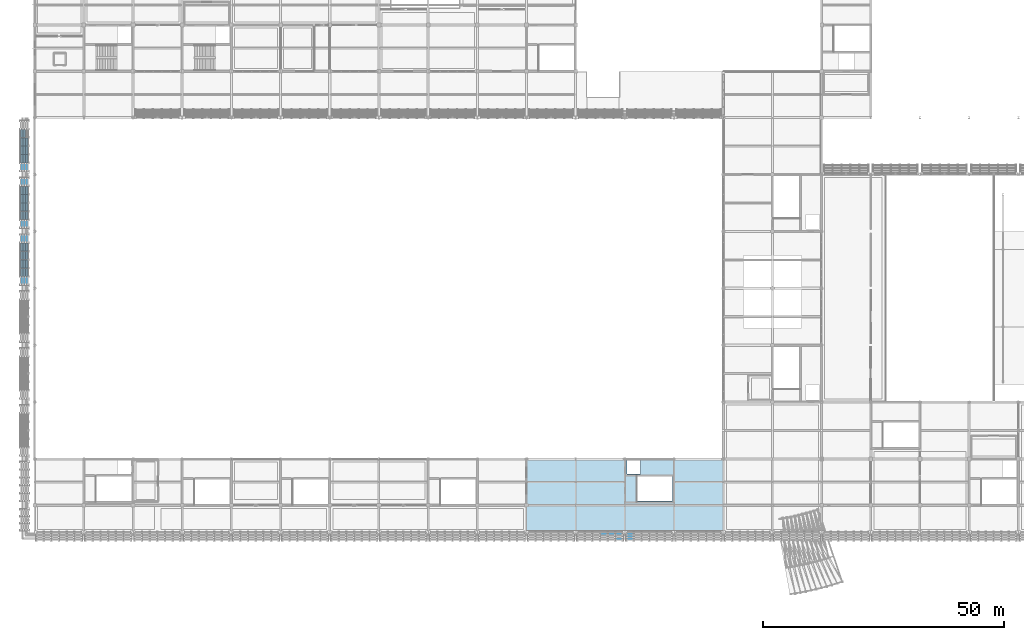
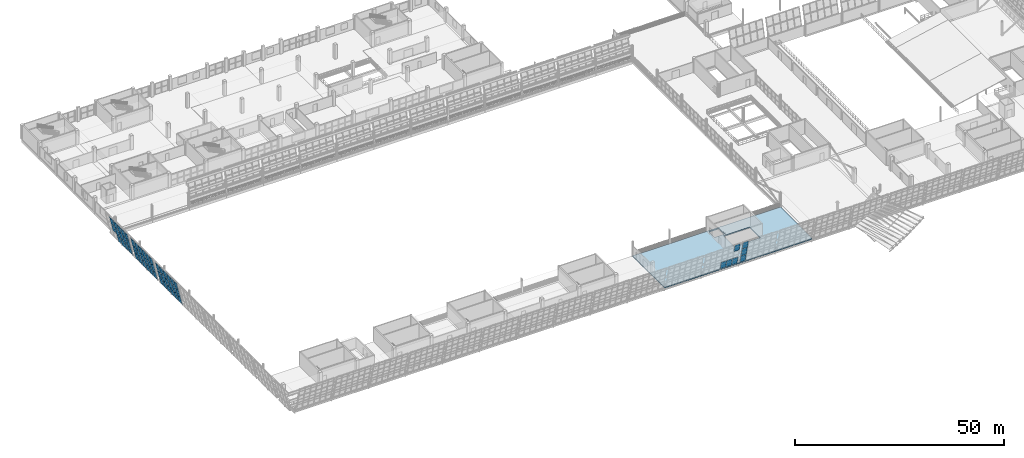
# One storey, part 105 of 157: 57 plates, 1 slab, 5 elements without a shape of their own.
"""IFC4 building model written with IfcOpenShell, lengths in metres."""

from ifc_helpers import new_model, si_unit, direction, frame, origin, place, context, subcontext, project, spatial, polyline, outline, extrude, material, layer, layer_set, type_object, element, aggregate, save


model = new_model("IFC4")

# Units and contexts
model_context = context("Model", 3, precision=1e-05, world=origin(), true_north=direction((0.0, 1.0)))
body_context = subcontext(model_context, "Body", "Model", "MODEL_VIEW")
ifc_project = project(units=[si_unit("LENGTHUNIT", "METRE"), si_unit("AREAUNIT", "SQUARE_METRE"), si_unit("VOLUMEUNIT", "CUBIC_METRE"), si_unit("PLANEANGLEUNIT", "RADIAN"), si_unit("MASSUNIT", "GRAM", prefix="KILO")], contexts=[model_context])

# Site, building, storey
site_placement = place(None, origin())
site = spatial("IfcSite", under=ifc_project, at=site_placement, CompositionType="ELEMENT")
building_placement = place(site_placement, origin())
building = spatial("IfcBuilding", under=site, at=building_placement, Name="Brelvane Convention Centre", CompositionType="ELEMENT")
storey_placement = place(building_placement, frame((0.0, 0.0, 10.800048828125)))
storey = spatial("IfcBuildingStorey", under=building, at=storey_placement, Name="L02", CompositionType="ELEMENT", Elevation=10.800048828125)

# Curtain wall, plate
ifc_material_1 = material(Name="Anodised Aluminium Alloy 6063-T6", Category="aluminium")
curtain_wall_type = type_object("IfcCurtainWallType", Name="Curtain Wall CW-HULL-S", PredefinedType="USERDEFINED", material=ifc_material_1)
curtain_wall_1_placement = place(storey_placement, origin())
curtain_wall_1 = element("IfcCurtainWall", 1, at=curtain_wall_1_placement, inside=storey, type_object=curtain_wall_type, Name="Curtain Wall CW-HULL-S L02-HULL-S-L02-12", ObjectType="UNITISED", PredefinedType="USERDEFINED")
ifc_material_2 = material(Name="Double Glazed Low-E Laminated Unit")
ifc_layer_1 = layer(ifc_material_2, 0.0380859375)
ifc_layer_set_1 = layer_set([ifc_layer_1], Name="Double Glazed Low-E Laminated Unit")
plate_type_1 = type_object("IfcPlateType", Name="Curtain Panel CW-PG2", PredefinedType="CURTAIN_PANEL", material=ifc_layer_set_1)
plate_1_placement = place(storey_placement, frame((120.526611328125, 12.51953125, 4.606689453125), z_axis=(0.0, 0.973586933466, 0.228316628794), x_axis=(1.0, 0.0, 0.0)))
plate_1 = element("IfcPlate", 2, at=plate_1_placement, type_object=plate_type_1, Name="CW-HULL-S panel 6.3", PredefinedType="CURTAIN_PANEL", context=body_context, shape_type="SweptSolid", body=[
    extrude(outline(polyline([(0.0, 0.0), (1.473388671875, 0.0), (1.473388671875, -2.2220204521674902), (0.0, -2.2220204521674902), (0.0, 0.0)])), origin(), (0.0, 0.0, -1.0), 0.0380859375),
])

# Curtain wall, plates
curtain_wall_2_placement = place(storey_placement, origin())
curtain_wall_2 = element("IfcCurtainWall", 3, at=curtain_wall_2_placement, inside=storey, type_object=curtain_wall_type, Name="Curtain Wall CW-HULL-S L02-HULL-S-L02-13", ObjectType="UNITISED", PredefinedType="USERDEFINED")
plate_2_placement = place(storey_placement, frame((122.800048828125, 13.05517578125, 2.3232421875), z_axis=(0.0, 0.973573977576, 0.228371868203), x_axis=(1.0, 0.0, 0.0)))
plate_2 = element("IfcPlate", 4, at=plate_2_placement, type_object=plate_type_1, Name="CW-HULL-S panel 1.2", PredefinedType="CURTAIN_PANEL", context=body_context, shape_type="SweptSolid", body=[
    extrude(outline(polyline([(0.0, 0.0), (1.473388671875, 0.0), (1.473388671875, -2.2631758771022032), (0.0, -2.2631758771022032), (0.0, 0.0)])), origin(), (0.0, 0.0, -1.0), 0.0380859375),
])
plate_3_placement = place(storey_placement, frame((122.800048828125, 12.51953125, 4.606689453125), z_axis=(0.0, 0.973586933466, 0.228316628794), x_axis=(1.0, 0.0, 0.0)))
plate_3 = element("IfcPlate", 5, at=plate_3_placement, type_object=plate_type_1, Name="CW-HULL-S panel 1.3", PredefinedType="CURTAIN_PANEL", context=body_context, shape_type="SweptSolid", body=[
    extrude(outline(polyline([(0.0, 0.0), (1.473388671875, 0.0), (1.473388671875, -2.2220204521674902), (0.0, -2.2220204521674902), (0.0, 0.0)])), origin(), (0.0, 0.0, -1.0), 0.0380859375),
])

curtain_wall_3_placement = place(storey_placement, origin())
curtain_wall_3 = element("IfcCurtainWall", 6, at=curtain_wall_3_placement, inside=storey, type_object=curtain_wall_type, Name="Curtain Wall CW-HULL-S L02-HULL-W-L02-4", ObjectType="UNITISED", PredefinedType="USERDEFINED")
plate_4_placement = place(storey_placement, frame((-1.89599609375, 64.925048828125, 2.284912109375), z_axis=(0.973585642401, 0.0, 0.228322134079), x_axis=(0.0, 1.0, 0.0)))
plate_4 = element("IfcPlate", 7, at=plate_4_placement, type_object=plate_type_1, Name="CW-HULL-S panel 1.2", PredefinedType="CURTAIN_PANEL", context=body_context, shape_type="SweptSolid", body=[
    extrude(outline(polyline([(0.0, 0.0), (1.637451171875, 0.0), (1.637451171875, 2.2390753783596367), (0.0, 2.2390753783596367), (0.0, 0.0)])), origin(), (0.0, 0.0, -1.0), 0.0380859375),
])
plate_5_placement = place(storey_placement, frame((-2.423583984375, 64.925048828125, 4.534912109375), z_axis=(0.973572440639, 0.0, 0.228378420232), x_axis=(0.0, 1.0, 0.0)))
plate_5 = element("IfcPlate", 8, at=plate_5_placement, type_object=plate_type_1, Name="CW-HULL-S panel 1.3", PredefinedType="CURTAIN_PANEL", context=body_context, shape_type="SweptSolid", body=[
    extrude(outline(polyline([(0.0, 0.0), (1.637451171875, 0.0), (1.637451171875, 2.203245944227275), (0.0, 2.203245944227275), (0.0, 0.0)])), origin(), (0.0, 0.0, -1.0), 0.0380859375),
])
plate_6_placement = place(storey_placement, frame((-1.89599609375, 66.637451171875, 2.284912109375), z_axis=(0.973585642401, 0.0, 0.228322134079), x_axis=(0.0, 1.0, 0.0)))
plate_6 = element("IfcPlate", 9, at=plate_6_placement, type_object=plate_type_1, Name="CW-HULL-S panel 2.2", PredefinedType="CURTAIN_PANEL", context=body_context, shape_type="SweptSolid", body=[
    extrude(outline(polyline([(0.0, 0.0), (1.675048828125, 0.0), (1.675048828125, 2.2390753783596367), (0.0, 2.2390753783596367), (0.0, 0.0)])), origin(), (0.0, 0.0, -1.0), 0.0380859375),
])
plate_7_placement = place(storey_placement, frame((-2.423583984375, 66.637451171875, 4.534912109375), z_axis=(0.973572440639, 0.0, 0.228378420232), x_axis=(0.0, 1.0, 0.0)))
plate_7 = element("IfcPlate", 10, at=plate_7_placement, type_object=plate_type_1, Name="CW-HULL-S panel 2.3", PredefinedType="CURTAIN_PANEL", context=body_context, shape_type="SweptSolid", body=[
    extrude(outline(polyline([(0.0, 0.0), (1.675048828125, 0.0), (1.675048828125, 2.203245944227275), (0.0, 2.203245944227275), (0.0, 0.0)])), origin(), (0.0, 0.0, -1.0), 0.0380859375),
])
plate_8_placement = place(storey_placement, frame((-1.89599609375, 68.387451171875, 2.284912109375), z_axis=(0.973585642401, 0.0, 0.228322134079), x_axis=(0.0, 1.0, 0.0)))
plate_8 = element("IfcPlate", 11, at=plate_8_placement, type_object=plate_type_1, Name="CW-HULL-S panel 3.2", PredefinedType="CURTAIN_PANEL", context=body_context, shape_type="SweptSolid", body=[
    extrude(outline(polyline([(0.0, 0.0), (1.675048828125, 0.0), (1.675048828125, 2.2390753783596367), (0.0, 2.2390753783596367), (0.0, 0.0)])), origin(), (0.0, 0.0, -1.0), 0.0380859375),
])
plate_9_placement = place(storey_placement, frame((-2.423583984375, 68.387451171875, 4.534912109375), z_axis=(0.973572440639, 0.0, 0.228378420232), x_axis=(0.0, 1.0, 0.0)))
plate_9 = element("IfcPlate", 12, at=plate_9_placement, type_object=plate_type_1, Name="CW-HULL-S panel 3.3", PredefinedType="CURTAIN_PANEL", context=body_context, shape_type="SweptSolid", body=[
    extrude(outline(polyline([(0.0, 0.0), (1.675048828125, 0.0), (1.675048828125, 2.203245944227275), (0.0, 2.203245944227275), (0.0, 0.0)])), origin(), (0.0, 0.0, -1.0), 0.0380859375),
])
plate_10_placement = place(storey_placement, frame((-1.89599609375, 70.137451171875, 2.284912109375), z_axis=(0.973585642401, 0.0, 0.228322134079), x_axis=(0.0, 1.0, 0.0)))
plate_10 = element("IfcPlate", 13, at=plate_10_placement, type_object=plate_type_1, Name="CW-HULL-S panel 4.2", PredefinedType="CURTAIN_PANEL", context=body_context, shape_type="SweptSolid", body=[
    extrude(outline(polyline([(0.0, 0.0), (1.675048828125, 0.0), (1.675048828125, 2.2390753783596367), (0.0, 2.2390753783596367), (0.0, 0.0)])), origin(), (0.0, 0.0, -1.0), 0.0380859375),
])
plate_11_placement = place(storey_placement, frame((-2.423583984375, 70.137451171875, 4.534912109375), z_axis=(0.973572440639, 0.0, 0.228378420232), x_axis=(0.0, 1.0, 0.0)))
plate_11 = element("IfcPlate", 14, at=plate_11_placement, type_object=plate_type_1, Name="CW-HULL-S panel 4.3", PredefinedType="CURTAIN_PANEL", context=body_context, shape_type="SweptSolid", body=[
    extrude(outline(polyline([(0.0, 0.0), (1.675048828125, 0.0), (1.675048828125, 2.203245944227275), (0.0, 2.203245944227275), (0.0, 0.0)])), origin(), (0.0, 0.0, -1.0), 0.0380859375),
])
plate_12_placement = place(storey_placement, frame((-1.89599609375, 71.887451171875, 2.284912109375), z_axis=(0.973585642401, 0.0, 0.228322134079), x_axis=(0.0, 1.0, 0.0)))
plate_12 = element("IfcPlate", 15, at=plate_12_placement, type_object=plate_type_1, Name="CW-HULL-S panel 5.2", PredefinedType="CURTAIN_PANEL", context=body_context, shape_type="SweptSolid", body=[
    extrude(outline(polyline([(0.0, 0.0), (1.675048828125, 0.0), (1.675048828125, 2.2390753783596367), (0.0, 2.2390753783596367), (0.0, 0.0)])), origin(), (0.0, 0.0, -1.0), 0.0380859375),
])
plate_13_placement = place(storey_placement, frame((-2.423583984375, 71.887451171875, 4.534912109375), z_axis=(0.973572440639, 0.0, 0.228378420232), x_axis=(0.0, 1.0, 0.0)))
plate_13 = element("IfcPlate", 16, at=plate_13_placement, type_object=plate_type_1, Name="CW-HULL-S panel 5.3", PredefinedType="CURTAIN_PANEL", context=body_context, shape_type="SweptSolid", body=[
    extrude(outline(polyline([(0.0, 0.0), (1.675048828125, 0.0), (1.675048828125, 2.203245944227275), (0.0, 2.203245944227275), (0.0, 0.0)])), origin(), (0.0, 0.0, -1.0), 0.0380859375),
])
plate_14_placement = place(storey_placement, frame((-1.89599609375, 73.637451171875, 2.284912109375), z_axis=(0.973585642401, 0.0, 0.228322134079), x_axis=(0.0, 1.0, 0.0)))
plate_14 = element("IfcPlate", 17, at=plate_14_placement, type_object=plate_type_1, Name="CW-HULL-S panel 6.2", PredefinedType="CURTAIN_PANEL", context=body_context, shape_type="SweptSolid", body=[
    extrude(outline(polyline([(0.0, 0.0), (1.637451171875, 0.0), (1.637451171875, 2.2390753783596367), (0.0, 2.2390753783596367), (0.0, 0.0)])), origin(), (0.0, 0.0, -1.0), 0.0380859375),
])
plate_15_placement = place(storey_placement, frame((-2.423583984375, 73.637451171875, 4.534912109375), z_axis=(0.973572440639, 0.0, 0.228378420232), x_axis=(0.0, 1.0, 0.0)))
plate_15 = element("IfcPlate", 18, at=plate_15_placement, type_object=plate_type_1, Name="CW-HULL-S panel 6.3", PredefinedType="CURTAIN_PANEL", context=body_context, shape_type="SweptSolid", body=[
    extrude(outline(polyline([(0.0, 0.0), (1.637451171875, 0.0), (1.637451171875, 2.203245944227275), (0.0, 2.203245944227275), (0.0, 0.0)])), origin(), (0.0, 0.0, -1.0), 0.0380859375),
])

curtain_wall_4_placement = place(storey_placement, origin())
curtain_wall_4 = element("IfcCurtainWall", 19, at=curtain_wall_4_placement, inside=storey, type_object=curtain_wall_type, Name="Curtain Wall CW-HULL-S L02-HULL-W-L02-5", ObjectType="UNITISED", PredefinedType="USERDEFINED")
plate_16_placement = place(storey_placement, frame((-1.89599609375, 76.72509765625, 2.284912109375), z_axis=(0.973585642401, 0.0, 0.228322134079), x_axis=(0.0, 1.0, 0.0)))
plate_16 = element("IfcPlate", 20, at=plate_16_placement, type_object=plate_type_1, Name="CW-HULL-S panel 1.2", PredefinedType="CURTAIN_PANEL", context=body_context, shape_type="SweptSolid", body=[
    extrude(outline(polyline([(0.0, 0.0), (1.637451171875, 0.0), (1.637451171875, 2.2390753783596367), (0.0, 2.2390753783596367), (0.0, 0.0)])), origin(), (0.0, 0.0, -1.0), 0.0380859375),
])
plate_17_placement = place(storey_placement, frame((-2.423583984375, 76.72509765625, 4.534912109375), z_axis=(0.973572440639, 0.0, 0.228378420232), x_axis=(0.0, 1.0, 0.0)))
plate_17 = element("IfcPlate", 21, at=plate_17_placement, type_object=plate_type_1, Name="CW-HULL-S panel 1.3", PredefinedType="CURTAIN_PANEL", context=body_context, shape_type="SweptSolid", body=[
    extrude(outline(polyline([(0.0, 0.0), (1.637451171875, 0.0), (1.637451171875, 2.203245944227275), (0.0, 2.203245944227275), (0.0, 0.0)])), origin(), (0.0, 0.0, -1.0), 0.0380859375),
])
plate_18_placement = place(storey_placement, frame((-1.89599609375, 78.4375, 2.284912109375), z_axis=(0.973585642401, 0.0, 0.228322134079), x_axis=(0.0, 1.0, 0.0)))
plate_18 = element("IfcPlate", 22, at=plate_18_placement, type_object=plate_type_1, Name="CW-HULL-S panel 2.2", PredefinedType="CURTAIN_PANEL", context=body_context, shape_type="SweptSolid", body=[
    extrude(outline(polyline([(0.0, 0.0), (1.675048828125, 0.0), (1.675048828125, 2.2390753783596367), (0.0, 2.2390753783596367), (0.0, 0.0)])), origin(), (0.0, 0.0, -1.0), 0.0380859375),
])
plate_19_placement = place(storey_placement, frame((-2.423583984375, 78.4375, 4.534912109375), z_axis=(0.973572440639, 0.0, 0.228378420232), x_axis=(0.0, 1.0, 0.0)))
plate_19 = element("IfcPlate", 23, at=plate_19_placement, type_object=plate_type_1, Name="CW-HULL-S panel 2.3", PredefinedType="CURTAIN_PANEL", context=body_context, shape_type="SweptSolid", body=[
    extrude(outline(polyline([(0.0, 0.0), (1.675048828125, 0.0), (1.675048828125, 2.203245944227275), (0.0, 2.203245944227275), (0.0, 0.0)])), origin(), (0.0, 0.0, -1.0), 0.0380859375),
])
plate_20_placement = place(storey_placement, frame((-1.89599609375, 80.1875, 2.284912109375), z_axis=(0.973585642401, 0.0, 0.228322134079), x_axis=(0.0, 1.0, 0.0)))
plate_20 = element("IfcPlate", 24, at=plate_20_placement, type_object=plate_type_1, Name="CW-HULL-S panel 3.2", PredefinedType="CURTAIN_PANEL", context=body_context, shape_type="SweptSolid", body=[
    extrude(outline(polyline([(0.0, 0.0), (1.675048828125, 0.0), (1.675048828125, 2.2390753783596367), (0.0, 2.2390753783596367), (0.0, 0.0)])), origin(), (0.0, 0.0, -1.0), 0.0380859375),
])
plate_21_placement = place(storey_placement, frame((-2.423583984375, 80.1875, 4.534912109375), z_axis=(0.973572440639, 0.0, 0.228378420232), x_axis=(0.0, 1.0, 0.0)))
plate_21 = element("IfcPlate", 25, at=plate_21_placement, type_object=plate_type_1, Name="CW-HULL-S panel 3.3", PredefinedType="CURTAIN_PANEL", context=body_context, shape_type="SweptSolid", body=[
    extrude(outline(polyline([(0.0, 0.0), (1.675048828125, 0.0), (1.675048828125, 2.203245944227275), (0.0, 2.203245944227275), (0.0, 0.0)])), origin(), (0.0, 0.0, -1.0), 0.0380859375),
])
plate_22_placement = place(storey_placement, frame((-1.89599609375, 81.9375, 2.284912109375), z_axis=(0.973585642401, 0.0, 0.228322134079), x_axis=(0.0, 1.0, 0.0)))
plate_22 = element("IfcPlate", 26, at=plate_22_placement, type_object=plate_type_1, Name="CW-HULL-S panel 4.2", PredefinedType="CURTAIN_PANEL", context=body_context, shape_type="SweptSolid", body=[
    extrude(outline(polyline([(0.0, 0.0), (1.675048828125, 0.0), (1.675048828125, 2.2390753783596367), (0.0, 2.2390753783596367), (0.0, 0.0)])), origin(), (0.0, 0.0, -1.0), 0.0380859375),
])
plate_23_placement = place(storey_placement, frame((-2.423583984375, 81.9375, 4.534912109375), z_axis=(0.973572440639, 0.0, 0.228378420232), x_axis=(0.0, 1.0, 0.0)))
plate_23 = element("IfcPlate", 27, at=plate_23_placement, type_object=plate_type_1, Name="CW-HULL-S panel 4.3", PredefinedType="CURTAIN_PANEL", context=body_context, shape_type="SweptSolid", body=[
    extrude(outline(polyline([(0.0, 0.0), (1.675048828125, 0.0), (1.675048828125, 2.203245944227275), (0.0, 2.203245944227275), (0.0, 0.0)])), origin(), (0.0, 0.0, -1.0), 0.0380859375),
])
plate_24_placement = place(storey_placement, frame((-1.89599609375, 83.6875, 2.284912109375), z_axis=(0.973585642401, 0.0, 0.228322134079), x_axis=(0.0, 1.0, 0.0)))
plate_24 = element("IfcPlate", 28, at=plate_24_placement, type_object=plate_type_1, Name="CW-HULL-S panel 5.2", PredefinedType="CURTAIN_PANEL", context=body_context, shape_type="SweptSolid", body=[
    extrude(outline(polyline([(0.0, 0.0), (1.675048828125, 0.0), (1.675048828125, 2.2390753783596367), (0.0, 2.2390753783596367), (0.0, 0.0)])), origin(), (0.0, 0.0, -1.0), 0.0380859375),
])
plate_25_placement = place(storey_placement, frame((-2.423583984375, 83.6875, 4.534912109375), z_axis=(0.973572440639, 0.0, 0.228378420232), x_axis=(0.0, 1.0, 0.0)))
plate_25 = element("IfcPlate", 29, at=plate_25_placement, type_object=plate_type_1, Name="CW-HULL-S panel 5.3", PredefinedType="CURTAIN_PANEL", context=body_context, shape_type="SweptSolid", body=[
    extrude(outline(polyline([(0.0, 0.0), (1.675048828125, 0.0), (1.675048828125, 2.203245944227275), (0.0, 2.203245944227275), (0.0, 0.0)])), origin(), (0.0, 0.0, -1.0), 0.0380859375),
])
plate_26_placement = place(storey_placement, frame((-1.89599609375, 85.4375, 2.284912109375), z_axis=(0.973585642401, 0.0, 0.228322134079), x_axis=(0.0, 1.0, 0.0)))
plate_26 = element("IfcPlate", 30, at=plate_26_placement, type_object=plate_type_1, Name="CW-HULL-S panel 6.2", PredefinedType="CURTAIN_PANEL", context=body_context, shape_type="SweptSolid", body=[
    extrude(outline(polyline([(0.0, 0.0), (1.637451171875, 0.0), (1.637451171875, 2.2390753783596367), (0.0, 2.2390753783596367), (0.0, 0.0)])), origin(), (0.0, 0.0, -1.0), 0.0380859375),
])
plate_27_placement = place(storey_placement, frame((-2.423583984375, 85.4375, 4.534912109375), z_axis=(0.973572440639, 0.0, 0.228378420232), x_axis=(0.0, 1.0, 0.0)))
plate_27 = element("IfcPlate", 31, at=plate_27_placement, type_object=plate_type_1, Name="CW-HULL-S panel 6.3", PredefinedType="CURTAIN_PANEL", context=body_context, shape_type="SweptSolid", body=[
    extrude(outline(polyline([(0.0, 0.0), (1.637451171875, 0.0), (1.637451171875, 2.203245944227275), (0.0, 2.203245944227275), (0.0, 0.0)])), origin(), (0.0, 0.0, -1.0), 0.0380859375),
])

curtain_wall_5_placement = place(storey_placement, origin())
curtain_wall_5 = element("IfcCurtainWall", 32, at=curtain_wall_5_placement, inside=storey, type_object=curtain_wall_type, Name="Curtain Wall CW-HULL-S L02-HULL-W-L02-6", ObjectType="UNITISED", PredefinedType="USERDEFINED")
plate_28_placement = place(storey_placement, frame((-1.89599609375, 88.52490234375, 2.284912109375), z_axis=(0.973585642401, 0.0, 0.228322134079), x_axis=(0.0, 1.0, 0.0)))
plate_28 = element("IfcPlate", 33, at=plate_28_placement, type_object=plate_type_1, Name="CW-HULL-S panel 1.2", PredefinedType="CURTAIN_PANEL", context=body_context, shape_type="SweptSolid", body=[
    extrude(outline(polyline([(0.0, 0.0), (1.6376953125, 0.0), (1.6376953125, 2.239075378359636), (0.0, 2.239075378359636), (0.0, 0.0)])), origin(), (0.0, 0.0, -1.0), 0.0380859375),
])
plate_29_placement = place(storey_placement, frame((-2.423583984375, 88.52490234375, 4.534912109375), z_axis=(0.973572440639, 0.0, 0.228378420232), x_axis=(0.0, 1.0, 0.0)))
plate_29 = element("IfcPlate", 34, at=plate_29_placement, type_object=plate_type_1, Name="CW-HULL-S panel 1.3", PredefinedType="CURTAIN_PANEL", context=body_context, shape_type="SweptSolid", body=[
    extrude(outline(polyline([(0.0, 0.0), (1.6376953125, 0.0), (1.6376953125, 2.203245944227275), (0.0, 2.203245944227275), (0.0, 0.0)])), origin(), (0.0, 0.0, -1.0), 0.0380859375),
])
plate_30_placement = place(storey_placement, frame((-1.89599609375, 90.237548828125, 2.284912109375), z_axis=(0.973585642401, 0.0, 0.228322134079), x_axis=(0.0, 1.0, 0.0)))
plate_30 = element("IfcPlate", 35, at=plate_30_placement, type_object=plate_type_1, Name="CW-HULL-S panel 2.2", PredefinedType="CURTAIN_PANEL", context=body_context, shape_type="SweptSolid", body=[
    extrude(outline(polyline([(0.0, 0.0), (1.675048828125, 0.0), (1.675048828125, 2.2390753783596367), (0.0, 2.2390753783596367), (0.0, 0.0)])), origin(), (0.0, 0.0, -1.0), 0.0380859375),
])
plate_31_placement = place(storey_placement, frame((-2.423583984375, 90.237548828125, 4.534912109375), z_axis=(0.973572440639, 0.0, 0.228378420232), x_axis=(0.0, 1.0, 0.0)))
plate_31 = element("IfcPlate", 36, at=plate_31_placement, type_object=plate_type_1, Name="CW-HULL-S panel 2.3", PredefinedType="CURTAIN_PANEL", context=body_context, shape_type="SweptSolid", body=[
    extrude(outline(polyline([(0.0, 0.0), (1.675048828125, 0.0), (1.675048828125, 2.203245944227275), (0.0, 2.203245944227275), (0.0, 0.0)])), origin(), (0.0, 0.0, -1.0), 0.0380859375),
])
plate_32_placement = place(storey_placement, frame((-1.89599609375, 91.987548828125, 2.284912109375), z_axis=(0.973585642401, 0.0, 0.228322134079), x_axis=(0.0, 1.0, 0.0)))
plate_32 = element("IfcPlate", 37, at=plate_32_placement, type_object=plate_type_1, Name="CW-HULL-S panel 3.2", PredefinedType="CURTAIN_PANEL", context=body_context, shape_type="SweptSolid", body=[
    extrude(outline(polyline([(0.0, 0.0), (1.675048828125, 0.0), (1.675048828125, 2.2390753783596367), (0.0, 2.2390753783596367), (0.0, 0.0)])), origin(), (0.0, 0.0, -1.0), 0.0380859375),
])
plate_33_placement = place(storey_placement, frame((-2.423583984375, 91.987548828125, 4.534912109375), z_axis=(0.973572440639, 0.0, 0.228378420232), x_axis=(0.0, 1.0, 0.0)))
plate_33 = element("IfcPlate", 38, at=plate_33_placement, type_object=plate_type_1, Name="CW-HULL-S panel 3.3", PredefinedType="CURTAIN_PANEL", context=body_context, shape_type="SweptSolid", body=[
    extrude(outline(polyline([(0.0, 0.0), (1.675048828125, 0.0), (1.675048828125, 2.203245944227275), (0.0, 2.203245944227275), (0.0, 0.0)])), origin(), (0.0, 0.0, -1.0), 0.0380859375),
])
plate_34_placement = place(storey_placement, frame((-1.89599609375, 93.737548828125, 2.284912109375), z_axis=(0.973585642401, 0.0, 0.228322134079), x_axis=(0.0, 1.0, 0.0)))
plate_34 = element("IfcPlate", 39, at=plate_34_placement, type_object=plate_type_1, Name="CW-HULL-S panel 4.2", PredefinedType="CURTAIN_PANEL", context=body_context, shape_type="SweptSolid", body=[
    extrude(outline(polyline([(0.0, 0.0), (1.675048828125, 0.0), (1.675048828125, 2.2390753783596367), (0.0, 2.2390753783596367), (0.0, 0.0)])), origin(), (0.0, 0.0, -1.0), 0.0380859375),
])
plate_35_placement = place(storey_placement, frame((-2.423583984375, 93.737548828125, 4.534912109375), z_axis=(0.973572440639, 0.0, 0.228378420232), x_axis=(0.0, 1.0, 0.0)))
plate_35 = element("IfcPlate", 40, at=plate_35_placement, type_object=plate_type_1, Name="CW-HULL-S panel 4.3", PredefinedType="CURTAIN_PANEL", context=body_context, shape_type="SweptSolid", body=[
    extrude(outline(polyline([(0.0, 0.0), (1.675048828125, 0.0), (1.675048828125, 2.203245944227275), (0.0, 2.203245944227275), (0.0, 0.0)])), origin(), (0.0, 0.0, -1.0), 0.0380859375),
])
plate_36_placement = place(storey_placement, frame((-1.89599609375, 95.487548828125, 2.284912109375), z_axis=(0.973585642401, 0.0, 0.228322134079), x_axis=(0.0, 1.0, 0.0)))
plate_36 = element("IfcPlate", 41, at=plate_36_placement, type_object=plate_type_1, Name="CW-HULL-S panel 5.2", PredefinedType="CURTAIN_PANEL", context=body_context, shape_type="SweptSolid", body=[
    extrude(outline(polyline([(0.0, 0.0), (1.675048828125, 0.0), (1.675048828125, 2.2390753783596367), (0.0, 2.2390753783596367), (0.0, 0.0)])), origin(), (0.0, 0.0, -1.0), 0.0380859375),
])
plate_37_placement = place(storey_placement, frame((-2.423583984375, 95.487548828125, 4.534912109375), z_axis=(0.973572440639, 0.0, 0.228378420232), x_axis=(0.0, 1.0, 0.0)))
plate_37 = element("IfcPlate", 42, at=plate_37_placement, type_object=plate_type_1, Name="CW-HULL-S panel 5.3", PredefinedType="CURTAIN_PANEL", context=body_context, shape_type="SweptSolid", body=[
    extrude(outline(polyline([(0.0, 0.0), (1.675048828125, 0.0), (1.675048828125, 2.203245944227275), (0.0, 2.203245944227275), (0.0, 0.0)])), origin(), (0.0, 0.0, -1.0), 0.0380859375),
])

# Plate
ifc_material_3 = material(Name="Patinated Copper-Bronze Alloy C22000")
ifc_layer_2 = layer(ifc_material_3, 0.055908203125)
ifc_layer_set_2 = layer_set([ifc_layer_2], Name="Patinated Copper-Bronze Alloy C22000")
plate_type_2 = type_object("IfcPlateType", Name="Curtain Panel CW-PS2", PredefinedType="CURTAIN_PANEL", material=ifc_layer_set_2)
plate_38_placement = place(storey_placement, frame((117.340087890625, 13.581298828125, 0.079833984375), z_axis=(0.0, 0.973562505213, 0.228420770606), x_axis=(1.0, 0.0, 0.0)))
plate_38 = element("IfcPlate", 43, at=plate_38_placement, type_object=plate_type_2, Name="CW-HULL-S panel 4.1", PredefinedType="CURTAIN_PANEL", context=body_context, shape_type="SweptSolid", body=[
    extrude(outline(polyline([(0.0, 0.0), (1.51318359375, 0.0), (1.51318359375, -2.2220762062447244), (0.0, -2.2220762062447244), (0.0, 0.0)])), origin(), (0.0, 0.0, -1.0), 0.0380859375),
])

plate_39_placement = place(storey_placement, frame((118.933349609375, 13.581298828125, 0.079833984375), z_axis=(0.0, 0.973562505213, 0.228420770606), x_axis=(1.0, 0.0, 0.0)))
plate_39 = element("IfcPlate", 44, at=plate_39_placement, type_object=plate_type_2, Name="CW-HULL-S panel 5.1", PredefinedType="CURTAIN_PANEL", context=body_context, shape_type="SweptSolid", body=[
    extrude(outline(polyline([(0.0, 0.0), (1.513427734375, 0.0), (1.513427734375, -2.2220762062447244), (0.0, -2.2220762062447244), (0.0, 0.0)])), origin(), (0.0, 0.0, -1.0), 0.0380859375),
])

plate_40_placement = place(storey_placement, frame((120.526611328125, 13.581298828125, 0.079833984375), z_axis=(0.0, 0.973562505213, 0.228420770606), x_axis=(1.0, 0.0, 0.0)))
plate_40 = element("IfcPlate", 45, at=plate_40_placement, type_object=plate_type_2, Name="CW-HULL-S panel 6.1", PredefinedType="CURTAIN_PANEL", context=body_context, shape_type="SweptSolid", body=[
    extrude(outline(polyline([(0.0, 0.0), (1.473388671875, 0.0), (1.473388671875, -2.222076206244725), (0.0, -2.222076206244725), (0.0, 0.0)])), origin(), (0.0, 0.0, -1.0), 0.0380859375),
])

aggregate(curtain_wall_1, [plate_38, plate_39, plate_40, plate_1])

plate_41_placement = place(storey_placement, frame((122.800048828125, 13.581298828125, 0.079833984375), z_axis=(0.0, 0.973562505213, 0.228420770606), x_axis=(1.0, 0.0, 0.0)))
plate_41 = element("IfcPlate", 46, at=plate_41_placement, type_object=plate_type_2, Name="CW-HULL-S panel 1.1", PredefinedType="CURTAIN_PANEL", context=body_context, shape_type="SweptSolid", body=[
    extrude(outline(polyline([(0.0, 0.0), (1.473388671875, 0.0), (1.473388671875, -2.222076206244725), (0.0, -2.222076206244725), (0.0, 0.0)])), origin(), (0.0, 0.0, -1.0), 0.0380859375),
])

aggregate(curtain_wall_2, [plate_41, plate_2, plate_3])

plate_42_placement = place(storey_placement, frame((-1.37646484375, 64.925048828125, 0.070068359375), z_axis=(0.973566660245, 0.0, 0.228403060531), x_axis=(0.0, 1.0, 0.0)))
plate_42 = element("IfcPlate", 47, at=plate_42_placement, type_object=plate_type_2, Name="CW-HULL-S panel 1.1", PredefinedType="CURTAIN_PANEL", context=body_context, shape_type="SweptSolid", body=[
    extrude(outline(polyline([(0.0, 0.0), (1.637451171875, 0.0), (1.637451171875, 2.203008256348711), (0.0, 2.203008256348711), (0.0, 0.0)])), origin(), (0.0, 0.0, -1.0), 0.0380859375),
])

plate_43_placement = place(storey_placement, frame((-1.37646484375, 66.637451171875, 0.070068359375), z_axis=(0.973566660245, 0.0, 0.228403060531), x_axis=(0.0, 1.0, 0.0)))
plate_43 = element("IfcPlate", 48, at=plate_43_placement, type_object=plate_type_2, Name="CW-HULL-S panel 2.1", PredefinedType="CURTAIN_PANEL", context=body_context, shape_type="SweptSolid", body=[
    extrude(outline(polyline([(0.0, 0.0), (1.675048828125, 0.0), (1.675048828125, 2.2030082563487112), (0.0, 2.2030082563487112), (0.0, 0.0)])), origin(), (0.0, 0.0, -1.0), 0.0380859375),
])

plate_44_placement = place(storey_placement, frame((-1.37646484375, 68.387451171875, 0.070068359375), z_axis=(0.973566660245, 0.0, 0.228403060531), x_axis=(0.0, 1.0, 0.0)))
plate_44 = element("IfcPlate", 49, at=plate_44_placement, type_object=plate_type_2, Name="CW-HULL-S panel 3.1", PredefinedType="CURTAIN_PANEL", context=body_context, shape_type="SweptSolid", body=[
    extrude(outline(polyline([(0.0, 0.0), (1.675048828125, 0.0), (1.675048828125, 2.2030082563487112), (0.0, 2.2030082563487112), (0.0, 0.0)])), origin(), (0.0, 0.0, -1.0), 0.0380859375),
])

plate_45_placement = place(storey_placement, frame((-1.37646484375, 70.137451171875, 0.070068359375), z_axis=(0.973566660245, 0.0, 0.228403060531), x_axis=(0.0, 1.0, 0.0)))
plate_45 = element("IfcPlate", 50, at=plate_45_placement, type_object=plate_type_2, Name="CW-HULL-S panel 4.1", PredefinedType="CURTAIN_PANEL", context=body_context, shape_type="SweptSolid", body=[
    extrude(outline(polyline([(0.0, 0.0), (1.675048828125, 0.0), (1.675048828125, 2.2030082563487112), (0.0, 2.2030082563487112), (0.0, 0.0)])), origin(), (0.0, 0.0, -1.0), 0.0380859375),
])

plate_46_placement = place(storey_placement, frame((-1.37646484375, 71.887451171875, 0.070068359375), z_axis=(0.973566660245, 0.0, 0.228403060531), x_axis=(0.0, 1.0, 0.0)))
plate_46 = element("IfcPlate", 51, at=plate_46_placement, type_object=plate_type_2, Name="CW-HULL-S panel 5.1", PredefinedType="CURTAIN_PANEL", context=body_context, shape_type="SweptSolid", body=[
    extrude(outline(polyline([(0.0, 0.0), (1.675048828125, 0.0), (1.675048828125, 2.2030082563487112), (0.0, 2.2030082563487112), (0.0, 0.0)])), origin(), (0.0, 0.0, -1.0), 0.0380859375),
])

plate_47_placement = place(storey_placement, frame((-1.37646484375, 73.637451171875, 0.070068359375), z_axis=(0.973566660245, 0.0, 0.228403060531), x_axis=(0.0, 1.0, 0.0)))
plate_47 = element("IfcPlate", 52, at=plate_47_placement, type_object=plate_type_2, Name="CW-HULL-S panel 6.1", PredefinedType="CURTAIN_PANEL", context=body_context, shape_type="SweptSolid", body=[
    extrude(outline(polyline([(0.0, 0.0), (1.637451171875, 0.0), (1.637451171875, 2.203008256348711), (0.0, 2.203008256348711), (0.0, 0.0)])), origin(), (0.0, 0.0, -1.0), 0.0380859375),
])

aggregate(curtain_wall_3, [plate_42, plate_4, plate_5, plate_43, plate_6, plate_7, plate_44, plate_8, plate_9, plate_45, plate_10, plate_11, plate_46, plate_12, plate_13, plate_47, plate_14, plate_15])

plate_48_placement = place(storey_placement, frame((-1.37646484375, 76.72509765625, 0.070068359375), z_axis=(0.973566660245, 0.0, 0.228403060531), x_axis=(0.0, 1.0, 0.0)))
plate_48 = element("IfcPlate", 53, at=plate_48_placement, type_object=plate_type_2, Name="CW-HULL-S panel 1.1", PredefinedType="CURTAIN_PANEL", context=body_context, shape_type="SweptSolid", body=[
    extrude(outline(polyline([(0.0, 0.0), (1.637451171875, 0.0), (1.637451171875, 2.203008256348711), (0.0, 2.203008256348711), (0.0, 0.0)])), origin(), (0.0, 0.0, -1.0), 0.0380859375),
])

plate_49_placement = place(storey_placement, frame((-1.37646484375, 78.4375, 0.070068359375), z_axis=(0.973566660245, 0.0, 0.228403060531), x_axis=(0.0, 1.0, 0.0)))
plate_49 = element("IfcPlate", 54, at=plate_49_placement, type_object=plate_type_2, Name="CW-HULL-S panel 2.1", PredefinedType="CURTAIN_PANEL", context=body_context, shape_type="SweptSolid", body=[
    extrude(outline(polyline([(0.0, 0.0), (1.675048828125, 0.0), (1.675048828125, 2.2030082563487112), (0.0, 2.2030082563487112), (0.0, 0.0)])), origin(), (0.0, 0.0, -1.0), 0.0380859375),
])

plate_50_placement = place(storey_placement, frame((-1.37646484375, 80.1875, 0.070068359375), z_axis=(0.973566660245, 0.0, 0.228403060531), x_axis=(0.0, 1.0, 0.0)))
plate_50 = element("IfcPlate", 55, at=plate_50_placement, type_object=plate_type_2, Name="CW-HULL-S panel 3.1", PredefinedType="CURTAIN_PANEL", context=body_context, shape_type="SweptSolid", body=[
    extrude(outline(polyline([(0.0, 0.0), (1.675048828125, 0.0), (1.675048828125, 2.2030082563487112), (0.0, 2.2030082563487112), (0.0, 0.0)])), origin(), (0.0, 0.0, -1.0), 0.0380859375),
])

plate_51_placement = place(storey_placement, frame((-1.37646484375, 81.9375, 0.070068359375), z_axis=(0.973566660245, 0.0, 0.228403060531), x_axis=(0.0, 1.0, 0.0)))
plate_51 = element("IfcPlate", 56, at=plate_51_placement, type_object=plate_type_2, Name="CW-HULL-S panel 4.1", PredefinedType="CURTAIN_PANEL", context=body_context, shape_type="SweptSolid", body=[
    extrude(outline(polyline([(0.0, 0.0), (1.675048828125, 0.0), (1.675048828125, 2.2030082563487112), (0.0, 2.2030082563487112), (0.0, 0.0)])), origin(), (0.0, 0.0, -1.0), 0.0380859375),
])

plate_52_placement = place(storey_placement, frame((-1.37646484375, 83.6875, 0.070068359375), z_axis=(0.973566660245, 0.0, 0.228403060531), x_axis=(0.0, 1.0, 0.0)))
plate_52 = element("IfcPlate", 57, at=plate_52_placement, type_object=plate_type_2, Name="CW-HULL-S panel 5.1", PredefinedType="CURTAIN_PANEL", context=body_context, shape_type="SweptSolid", body=[
    extrude(outline(polyline([(0.0, 0.0), (1.675048828125, 0.0), (1.675048828125, 2.2030082563487112), (0.0, 2.2030082563487112), (0.0, 0.0)])), origin(), (0.0, 0.0, -1.0), 0.0380859375),
])

plate_53_placement = place(storey_placement, frame((-1.37646484375, 85.4375, 0.070068359375), z_axis=(0.973566660245, 0.0, 0.228403060531), x_axis=(0.0, 1.0, 0.0)))
plate_53 = element("IfcPlate", 58, at=plate_53_placement, type_object=plate_type_2, Name="CW-HULL-S panel 6.1", PredefinedType="CURTAIN_PANEL", context=body_context, shape_type="SweptSolid", body=[
    extrude(outline(polyline([(0.0, 0.0), (1.637451171875, 0.0), (1.637451171875, 2.203008256348711), (0.0, 2.203008256348711), (0.0, 0.0)])), origin(), (0.0, 0.0, -1.0), 0.0380859375),
])

aggregate(curtain_wall_4, [plate_48, plate_16, plate_17, plate_49, plate_18, plate_19, plate_50, plate_20, plate_21, plate_51, plate_22, plate_23, plate_52, plate_24, plate_25, plate_53, plate_26, plate_27])

plate_54_placement = place(storey_placement, frame((-1.37646484375, 88.52490234375, 0.070068359375), z_axis=(0.973566660245, 0.0, 0.228403060531), x_axis=(0.0, 1.0, 0.0)))
plate_54 = element("IfcPlate", 59, at=plate_54_placement, type_object=plate_type_2, Name="CW-HULL-S panel 1.1", PredefinedType="CURTAIN_PANEL", context=body_context, shape_type="SweptSolid", body=[
    extrude(outline(polyline([(0.0, 0.0), (1.6376953125, 0.0), (1.6376953125, 2.203008256348711), (0.0, 2.203008256348711), (0.0, 0.0)])), origin(), (0.0, 0.0, -1.0), 0.0380859375),
])

plate_55_placement = place(storey_placement, frame((-1.37646484375, 90.237548828125, 0.070068359375), z_axis=(0.973566660245, 0.0, 0.228403060531), x_axis=(0.0, 1.0, 0.0)))
plate_55 = element("IfcPlate", 60, at=plate_55_placement, type_object=plate_type_2, Name="CW-HULL-S panel 2.1", PredefinedType="CURTAIN_PANEL", context=body_context, shape_type="SweptSolid", body=[
    extrude(outline(polyline([(0.0, 0.0), (1.675048828125, 0.0), (1.675048828125, 2.2030082563487112), (0.0, 2.2030082563487112), (0.0, 0.0)])), origin(), (0.0, 0.0, -1.0), 0.0380859375),
])

plate_56_placement = place(storey_placement, frame((-1.37646484375, 91.987548828125, 0.070068359375), z_axis=(0.973566660245, 0.0, 0.228403060531), x_axis=(0.0, 1.0, 0.0)))
plate_56 = element("IfcPlate", 61, at=plate_56_placement, type_object=plate_type_2, Name="CW-HULL-S panel 3.1", PredefinedType="CURTAIN_PANEL", context=body_context, shape_type="SweptSolid", body=[
    extrude(outline(polyline([(0.0, 0.0), (1.675048828125, 0.0), (1.675048828125, 2.2030082563487112), (0.0, 2.2030082563487112), (0.0, 0.0)])), origin(), (0.0, 0.0, -1.0), 0.0380859375),
])

plate_57_placement = place(storey_placement, frame((-1.37646484375, 93.737548828125, 0.070068359375), z_axis=(0.973566660245, 0.0, 0.228403060531), x_axis=(0.0, 1.0, 0.0)))
plate_57 = element("IfcPlate", 62, at=plate_57_placement, type_object=plate_type_2, Name="CW-HULL-S panel 4.1", PredefinedType="CURTAIN_PANEL", context=body_context, shape_type="SweptSolid", body=[
    extrude(outline(polyline([(0.0, 0.0), (1.675048828125, 0.0), (1.675048828125, 2.2030082563487112), (0.0, 2.2030082563487112), (0.0, 0.0)])), origin(), (0.0, 0.0, -1.0), 0.0380859375),
])

aggregate(curtain_wall_5, [plate_54, plate_28, plate_29, plate_55, plate_30, plate_31, plate_56, plate_32, plate_33, plate_57, plate_34, plate_35, plate_36, plate_37])

# Slab
ifc_material_4 = material(Name="Concrete M40", Category="concrete")
ifc_layer_3 = layer(ifc_material_4, 0.280029296875)
ifc_layer_set_3 = layer_set([ifc_layer_3], Name="Concrete M40")
slab_type = type_object("IfcSlabType", Name="Structural Slab SL-FLR-280", PredefinedType="FLOOR", material=ifc_layer_set_3)
slab_placement = place(storey_placement, frame((0.0, 0.0, -0.280029296875)))
element("IfcSlab", 63, at=slab_placement, inside=storey, type_object=slab_type, Name="L02 Floor Slab V1G-TERR", PredefinedType="FLOOR", context=body_context, shape_type="SweptSolid", body=[
    extrude(outline(polyline([(102.0, 13.60009765625), (142.800048828125, 13.60009765625), (142.800048828125, 28.800048828125), (102.0, 28.800048828125), (102.0, 13.60009765625)]), holes=[polyline([(125.0, 20.050048828125), (132.25, 20.050048828125), (132.25, 25.14990234375), (125.0, 25.14990234375), (125.0, 20.050048828125)]), polyline([(122.800048828125, 25.64990234375), (125.64990234375, 25.64990234375), (125.64990234375, 28.449951171875), (122.800048828125, 28.449951171875), (122.800048828125, 25.64990234375)])]), origin(), (0.0, 0.0, 1.0), 0.280029296875),
])

save(model, "model.ifc")
